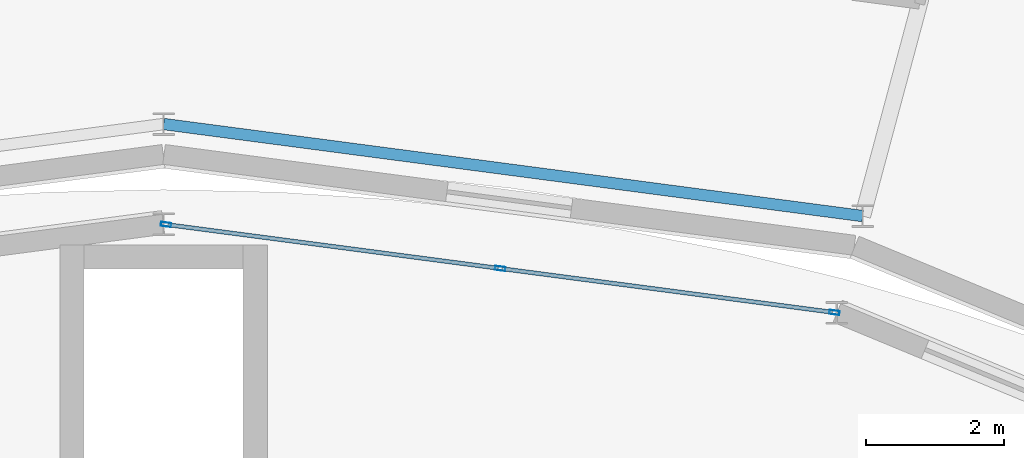
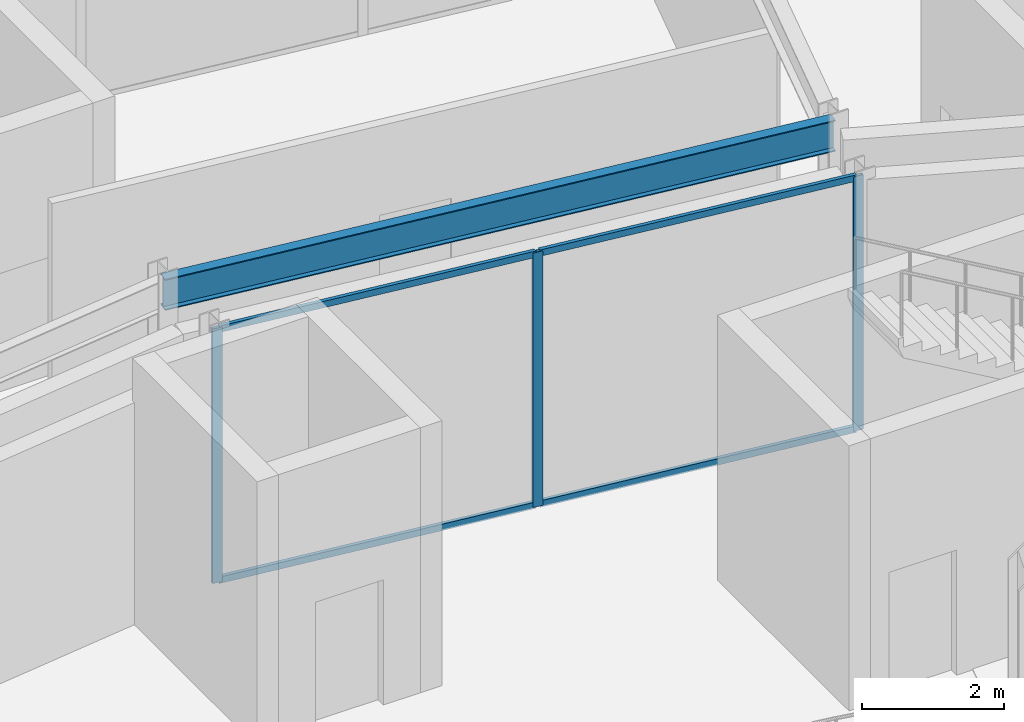
# One storey, part 65 of 133: 7 members, 1 beam, 1 element without a shape of its own.
"""IFC4 building model written with IfcOpenShell, lengths in metres."""

from ifc_helpers import new_model, si_unit, direction, frame, origin, origin_2d, place, context, subcontext, project, spatial, hollow_rectangle, i_section, extrude, material, material_profile, profile_set, type_object, element, aggregate, save


model = new_model("IFC4")

# Units and contexts
model_context = context("Model", 3, precision=1e-05, world=origin(), true_north=direction((0.0, 1.0)))
body_context = subcontext(model_context, "Body", "Model", "MODEL_VIEW")
ifc_project = project(units=[si_unit("LENGTHUNIT", "METRE"), si_unit("AREAUNIT", "SQUARE_METRE"), si_unit("VOLUMEUNIT", "CUBIC_METRE"), si_unit("PLANEANGLEUNIT", "RADIAN"), si_unit("MASSUNIT", "GRAM", prefix="KILO")], contexts=[model_context])

# Site, building, storey
site_placement = place(None, origin())
site = spatial("IfcSite", under=ifc_project, at=site_placement, CompositionType="ELEMENT")
building_placement = place(site_placement, origin())
building = spatial("IfcBuilding", under=site, at=building_placement, Name="Almandine Court Research Institute", CompositionType="ELEMENT")
storey_placement = place(building_placement, frame((0.0, 0.0, 9.800048828125)))
storey = spatial("IfcBuildingStorey", under=building, at=storey_placement, Name="L02", CompositionType="ELEMENT", Elevation=9.800048828125)

# Beam
ifc_material_1 = material(Name="Steel ASTM A992 Grade 50", Category="steel")
ifc_material_profile_1 = material_profile(ifc_material_1, i_section(OverallWidth=0.166015625, OverallDepth=0.534912109375, WebThickness=0.010009765625, FlangeThickness=0.01708984375, at=origin_2d()), Name="W530x85")
ifc_profile_set_1 = profile_set([ifc_material_profile_1], Name="Steel ASTM A992 Grade 50")
beam_type = type_object("IfcBeamType", Name="Beam-G-05-E", PredefinedType="SPANDREL", material=ifc_profile_set_1)
beam_placement = place(storey_placement, frame((97.1201171875, 93.76806640625, 4.10205078125), z_axis=(-0.991448758831, 0.130496584681, 0.0), x_axis=(-0.130496584681, -0.991448758831, 0.0)))
element("IfcBeam", 1, at=beam_placement, inside=storey, type_object=beam_type, Name="L02 Drum IN Ring Beam 05", PredefinedType="SPANDREL", context=body_context, shape_type="SweptSolid", body=[
    extrude(i_section(OverallWidth=0.166015625, OverallDepth=0.534912109375, WebThickness=0.010009765625, FlangeThickness=0.01708984375, at=origin_2d()), origin(), (0.0, 0.0, 1.0), 10.20751953125),
])

# Curtain wall, members
ifc_material_2 = material(Name="Unitised Curtain Wall Framing and Solar Glazing", Category="glass")
curtain_wall_type = type_object("IfcCurtainWallType", Name="CW-CWG-24", PredefinedType="USERDEFINED", material=ifc_material_2)
curtain_wall_placement = place(storey_placement, origin())
curtain_wall = element("IfcCurtainWall", 2, at=curtain_wall_placement, inside=storey, type_object=curtain_wall_type, Name="L02 Interaction Atrium Perimeter Curtain Wall 05", ObjectType="UNITISED GLAZING", PredefinedType="USERDEFINED")
ifc_material_3 = material(Name="Anodised Aluminium AW-6063-T6", Category="aluminium")
ifc_material_profile_2 = material_profile(ifc_material_3, hollow_rectangle(XDim=0.06005859375, YDim=0.14990234375, WallThickness=0.00390625, at=origin_2d()), Name="ALU RHS 60x150x4")
ifc_profile_set_2 = profile_set([ifc_material_profile_2], Name="Anodised Aluminium AW-6063-T6")
member_type_1 = type_object("IfcMemberType", Name="CWMul-60x150", PredefinedType="MULLION", material=ifc_profile_set_2)
member_1_placement = place(storey_placement, frame((87.03369140625, 93.64599609375, 0.0), z_axis=(0.0, 0.0, 1.0), x_axis=(0.130536164028, 0.991443548509, 0.0)))
member_1 = element("IfcMember", 3, at=member_1_placement, type_object=member_type_1, Name="CWG-24 mullion 1", PredefinedType="MULLION", context=body_context, shape_type="SweptSolid", body=[
    extrude(hollow_rectangle(XDim=0.06005859375, YDim=0.14990234375, WallThickness=0.00390625, at=origin_2d()), origin(), (0.0, 0.0, 1.0), 4.369873046875),
])
member_2_placement = place(storey_placement, frame((91.87255859375, 93.009033203125, 0.0), z_axis=(0.0, 0.0, 1.0), x_axis=(0.130536164028, 0.991443548509, 0.0)))
member_2 = element("IfcMember", 4, at=member_2_placement, type_object=member_type_1, Name="CWG-24 mullion 2", PredefinedType="MULLION", context=body_context, shape_type="SweptSolid", body=[
    extrude(hollow_rectangle(XDim=0.06005859375, YDim=0.14990234375, WallThickness=0.00390625, at=origin_2d()), origin(), (0.0, 0.0, 1.0), 4.369873046875),
])
member_3_placement = place(storey_placement, frame((96.711181640625, 92.371826171875, 0.0), z_axis=(0.0, 0.0, 1.0), x_axis=(0.130536164028, 0.991443548509, 0.0)))
member_3 = element("IfcMember", 5, at=member_3_placement, type_object=member_type_1, Name="CWG-24 mullion 3", PredefinedType="MULLION", context=body_context, shape_type="SweptSolid", body=[
    extrude(hollow_rectangle(XDim=0.06005859375, YDim=0.14990234375, WallThickness=0.00390625, at=origin_2d()), origin(), (0.0, 0.0, 1.0), 4.369873046875),
])
ifc_material_profile_3 = material_profile(ifc_material_3, hollow_rectangle(XDim=0.06005859375, YDim=0.110107421875, WallThickness=0.00390625, at=origin_2d()), Name="ALU RHS 60x110x4")
ifc_profile_set_3 = profile_set([ifc_material_profile_3], Name="Anodised Aluminium AW-6063-T6")
member_type_2 = type_object("IfcMemberType", Name="CWTrn-60x110", PredefinedType="NOTDEFINED", material=ifc_profile_set_3)
member_4_placement = place(storey_placement, frame((87.0634765625, 93.64208984375, 0.030029296875), z_axis=(0.99144636411, -0.130514777294, 0.0), x_axis=(0.130514777294, 0.99144636411, 0.0)))
member_4 = element("IfcMember", 6, at=member_4_placement, type_object=member_type_2, Name="CWG-24 transom 1.1", ObjectType="TRANSOM", PredefinedType="USERDEFINED", context=body_context, shape_type="SweptSolid", body=[
    extrude(hollow_rectangle(XDim=0.06005859375, YDim=0.110107421875, WallThickness=0.00390625, at=origin_2d()), origin(), (0.0, 0.0, 1.0), 4.820556640625),
])
member_5_placement = place(storey_placement, frame((87.0634765625, 93.64208984375, 4.33984375), z_axis=(0.99144636411, -0.130514777294, 0.0), x_axis=(0.130514777294, 0.99144636411, 0.0)))
member_5 = element("IfcMember", 7, at=member_5_placement, type_object=member_type_2, Name="CWG-24 transom 1.2", ObjectType="TRANSOM", PredefinedType="USERDEFINED", context=body_context, shape_type="SweptSolid", body=[
    extrude(hollow_rectangle(XDim=0.06005859375, YDim=0.110107421875, WallThickness=0.00390625, at=origin_2d()), origin(), (0.0, 0.0, 1.0), 4.820556640625),
])
member_6_placement = place(storey_placement, frame((91.90234375, 93.005126953125, 0.030029296875), z_axis=(0.991438945963, -0.130571116357, 0.0), x_axis=(0.130571116357, 0.991438945963, 0.0)))
member_6 = element("IfcMember", 8, at=member_6_placement, type_object=member_type_2, Name="CWG-24 transom 2.1", ObjectType="TRANSOM", PredefinedType="USERDEFINED", context=body_context, shape_type="SweptSolid", body=[
    extrude(hollow_rectangle(XDim=0.06005859375, YDim=0.110107421875, WallThickness=0.00390625, at=origin_2d()), origin(), (0.0, 0.0, 1.0), 4.8203125),
])
member_7_placement = place(storey_placement, frame((91.90234375, 93.005126953125, 4.33984375), z_axis=(0.991438945963, -0.130571116357, 0.0), x_axis=(0.130571116357, 0.991438945963, 0.0)))
member_7 = element("IfcMember", 9, at=member_7_placement, type_object=member_type_2, Name="CWG-24 transom 2.2", ObjectType="TRANSOM", PredefinedType="USERDEFINED", context=body_context, shape_type="SweptSolid", body=[
    extrude(hollow_rectangle(XDim=0.06005859375, YDim=0.110107421875, WallThickness=0.00390625, at=origin_2d()), origin(), (0.0, 0.0, 1.0), 4.8203125),
])
aggregate(curtain_wall, [member_1, member_2, member_3, member_4, member_5, member_6, member_7])

save(model, "model.ifc")
